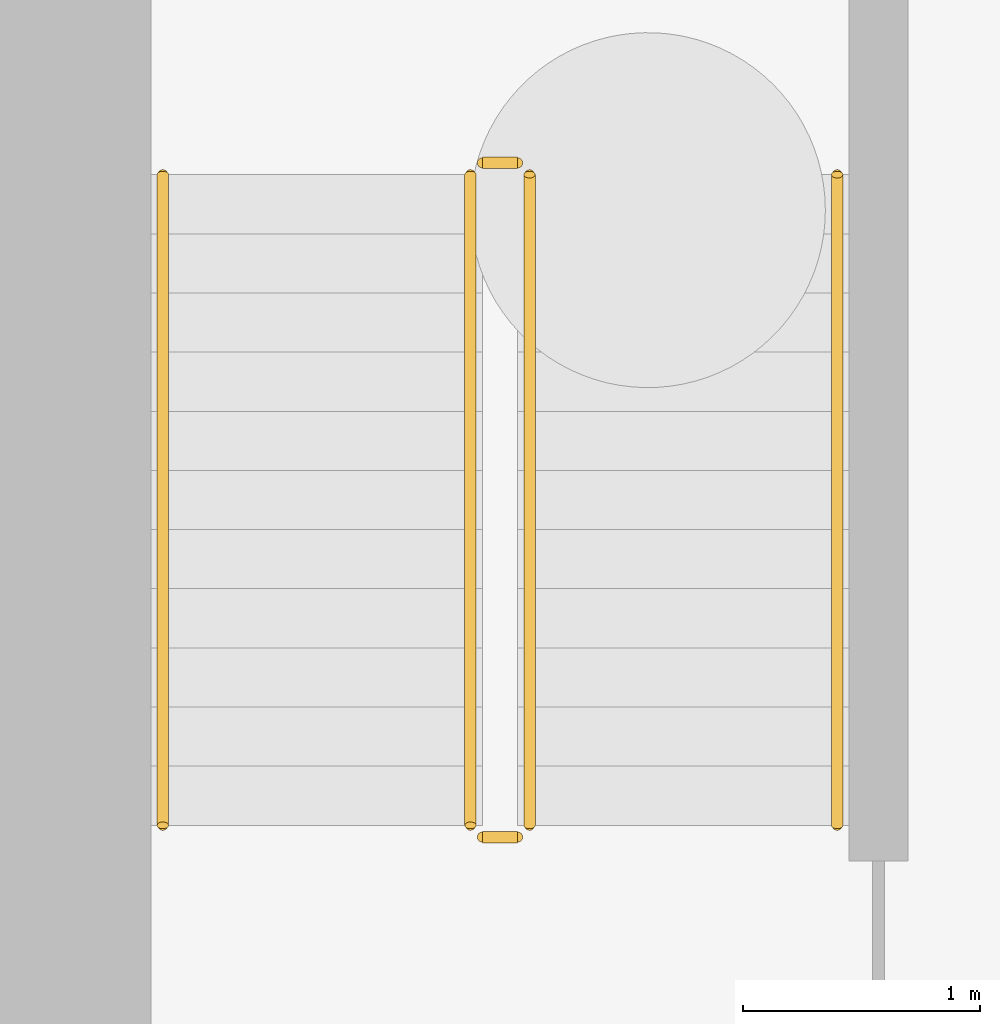
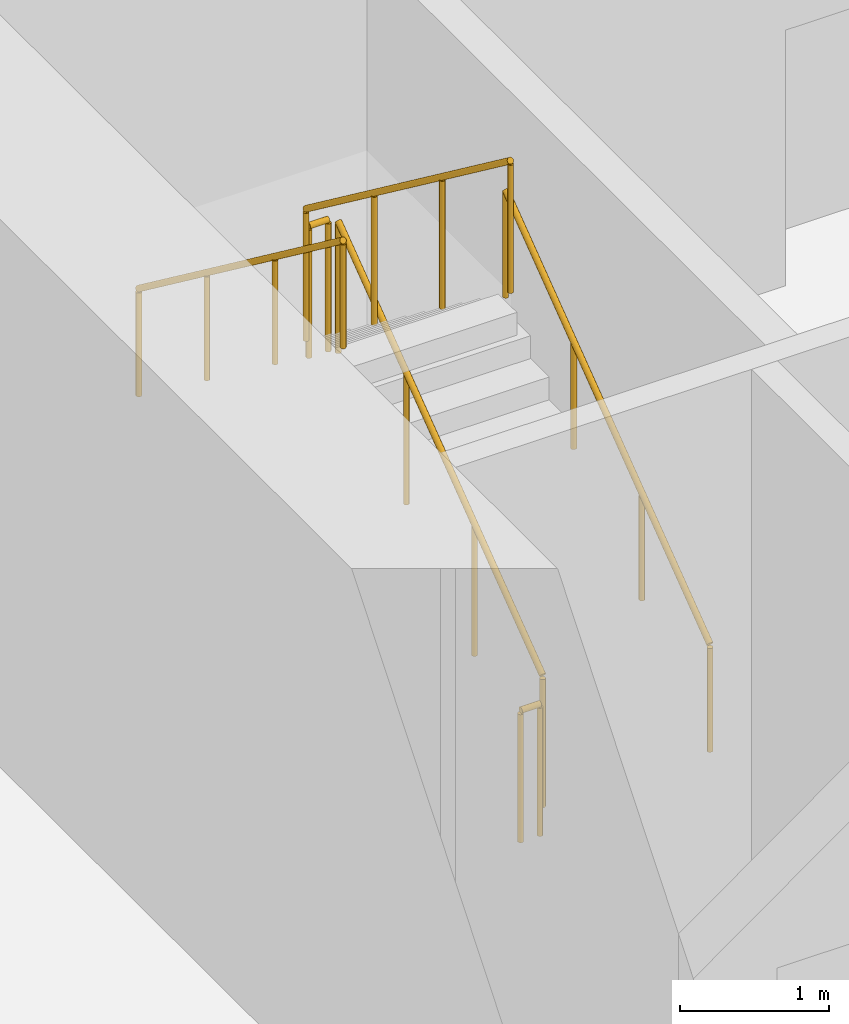
# One storey, part 10 of 13: 6 railings.
"""IFC4 building model written with IfcOpenShell, lengths in metres."""

from ifc_helpers import new_model, si_unit, direction, frame, origin, origin_2d, place, context, subcontext, project, spatial, circle, extrude, source, transform, mapped, material, type_object, element, save


model = new_model("IFC4")

# Units and contexts
model_context = context("Model", 3, precision=1e-05, world=origin(), true_north=direction((0.0, 1.0)))
body_context = subcontext(model_context, "Body", "Model", "MODEL_VIEW")
ifc_project = project(units=[si_unit("LENGTHUNIT", "METRE"), si_unit("AREAUNIT", "SQUARE_METRE"), si_unit("VOLUMEUNIT", "CUBIC_METRE"), si_unit("PLANEANGLEUNIT", "RADIAN"), si_unit("MASSUNIT", "GRAM", prefix="KILO")], contexts=[model_context])

# Site, building, storey
site_placement = place(None, origin())
site = spatial("IfcSite", under=ifc_project, at=site_placement, CompositionType="ELEMENT")
building_placement = place(site_placement, origin())
building = spatial("IfcBuilding", under=site, at=building_placement, Name="Aurelian Terraces", CompositionType="ELEMENT")
storey_placement = place(building_placement, frame((0.0, 0.0, -13.5)))
storey = spatial("IfcBuildingStorey", under=building, at=storey_placement, Name="B3", CompositionType="ELEMENT", Elevation=-13.5)

# Railings
ifc_material = material(Name="Stainless steel", Category="steel")
railing_type_1 = type_object("IfcRailingType", Name="Stair guard 1100", PredefinedType="GUARDRAIL", material=ifc_material)
railing_1_placement = place(storey_placement, frame((5.8, 16.3, 0.1875)))
element("IfcRailing", 1, at=railing_1_placement, inside=storey, type_object=railing_type_1, Name="B3 S1 stair guard 1", PredefinedType="GUARDRAIL", context=body_context, shape_type="SweptSolid", body=[
    extrude(circle(Radius=0.024, at=origin_2d()), frame((0.0, 0.0, 1.076), z_axis=(0.0, 0.8, 0.6), x_axis=(-1.0, 0.0, 0.0)), (0.0, 0.0, 1.0), 3.4375),
    extrude(circle(Radius=0.021, at=origin_2d()), origin(), (0.0, 0.0, 1.0), 1.052),
    extrude(circle(Radius=0.021, at=origin_2d()), frame((0.0, 0.9167, 0.6875)), (0.0, 0.0, 1.0), 1.052),
    extrude(circle(Radius=0.021, at=origin_2d()), frame((0.0, 1.8333, 1.375)), (0.0, 0.0, 1.0), 1.052),
    extrude(circle(Radius=0.021, at=origin_2d()), frame((0.0, 2.75, 2.0625)), (0.0, 0.0, 1.0), 1.052),
])
railing_2_placement = place(storey_placement, frame((5.75, 19.1, 2.25)))
element("IfcRailing", 2, at=railing_2_placement, inside=storey, type_object=railing_type_1, Name="B3 S1 stair guard 2", PredefinedType="GUARDRAIL", context=body_context, shape_type="SweptSolid", body=[
    extrude(circle(Radius=0.024, at=origin_2d()), frame((0.0, 0.0, 1.076), z_axis=(-1.0, 0.0, 0.0), x_axis=(0.0, -1.0, 0.0)), (0.0, 0.0, 1.0), 0.15),
    extrude(circle(Radius=0.021, at=origin_2d()), origin(), (0.0, 0.0, 1.0), 1.052),
    extrude(circle(Radius=0.021, at=origin_2d()), frame((-0.15, 0.0, 0.0)), (0.0, 0.0, 1.0), 1.052),
])
railing_3_placement = place(storey_placement, frame((5.55, 19.05, 2.4375)))
element("IfcRailing", 3, at=railing_3_placement, inside=storey, type_object=railing_type_1, Name="B3 S1 stair guard 3", PredefinedType="GUARDRAIL", context=body_context, shape_type="SweptSolid", body=[
    extrude(circle(Radius=0.024, at=origin_2d()), frame((0.0, 0.0, 1.076), z_axis=(0.0, -0.8, 0.6), x_axis=(1.0, 0.0, 0.0)), (0.0, 0.0, 1.0), 3.4375),
    extrude(circle(Radius=0.021, at=origin_2d()), origin(), (0.0, 0.0, 1.0), 1.052),
    extrude(circle(Radius=0.021, at=origin_2d()), frame((0.0, -0.9167, 0.6875)), (0.0, 0.0, 1.0), 1.052),
    extrude(circle(Radius=0.021, at=origin_2d()), frame((0.0, -1.8333, 1.375)), (0.0, 0.0, 1.0), 1.052),
    extrude(circle(Radius=0.021, at=origin_2d()), frame((0.0, -2.75, 2.0625)), (0.0, 0.0, 1.0), 1.052),
])
railing_type_2 = type_object("IfcRailingType", Name="Stair handrail", PredefinedType="HANDRAIL", material=ifc_material)
railing_4_placement = place(storey_placement, frame((7.1, 16.3, 0.1875)))
element("IfcRailing", 4, at=railing_4_placement, inside=storey, type_object=railing_type_2, Name="B3 S1 stair handrail 1", PredefinedType="HANDRAIL", context=body_context, shape_type="SweptSolid", body=[
    extrude(circle(Radius=0.024, at=origin_2d()), frame((0.0, 0.0, 0.876), z_axis=(0.0, 0.8, 0.6), x_axis=(-1.0, 0.0, 0.0)), (0.0, 0.0, 1.0), 3.4375),
    extrude(circle(Radius=0.021, at=origin_2d()), origin(), (0.0, 0.0, 1.0), 0.852),
    extrude(circle(Radius=0.021, at=origin_2d()), frame((0.0, 0.9167, 0.6875)), (0.0, 0.0, 1.0), 0.852),
    extrude(circle(Radius=0.021, at=origin_2d()), frame((0.0, 1.8333, 1.375)), (0.0, 0.0, 1.0), 0.852),
    extrude(circle(Radius=0.021, at=origin_2d()), frame((0.0, 2.75, 2.0625)), (0.0, 0.0, 1.0), 0.852),
])
railing_5_placement = place(storey_placement, frame((4.25, 19.05, 2.4375)))
element("IfcRailing", 5, at=railing_5_placement, inside=storey, type_object=railing_type_2, Name="B3 S1 stair handrail 2", PredefinedType="HANDRAIL", context=body_context, shape_type="SweptSolid", body=[
    extrude(circle(Radius=0.024, at=origin_2d()), frame((0.0, 0.0, 0.876), z_axis=(0.0, -0.8, 0.6), x_axis=(1.0, 0.0, 0.0)), (0.0, 0.0, 1.0), 3.4375),
    extrude(circle(Radius=0.021, at=origin_2d()), origin(), (0.0, 0.0, 1.0), 0.852),
    extrude(circle(Radius=0.021, at=origin_2d()), frame((0.0, -0.9167, 0.6875)), (0.0, 0.0, 1.0), 0.852),
    extrude(circle(Radius=0.021, at=origin_2d()), frame((0.0, -1.8333, 1.375)), (0.0, 0.0, 1.0), 0.852),
    extrude(circle(Radius=0.021, at=origin_2d()), frame((0.0, -2.75, 2.0625)), (0.0, 0.0, 1.0), 0.852),
])
shared_shape = source(origin(), body_context, "Body", "SweptSolid", [
    extrude(circle(Radius=0.024, at=origin_2d()), frame((0.0, 0.0, 1.076), z_axis=(-1.0, 0.0, 0.0), x_axis=(0.0, -1.0, 0.0)), (0.0, 0.0, 1.0), 0.15),
    extrude(circle(Radius=0.021, at=origin_2d()), origin(), (0.0, 0.0, 1.0), 1.052),
    extrude(circle(Radius=0.021, at=origin_2d()), frame((-0.15, 0.0, 0.0)), (0.0, 0.0, 1.0), 1.052),
])
railing_6_placement = place(storey_placement, frame((5.75, 16.25, 0.0)))
element("IfcRailing", 6, at=railing_6_placement, inside=storey, type_object=railing_type_1, Name="B3 S1 stair guard 4", PredefinedType="GUARDRAIL", context=body_context, shape_type="MappedRepresentation", body=[
    mapped(shared_shape, transform((0.0, 0.0, 0.0), scale=1.0)),
])

save(model, "model.ifc")
